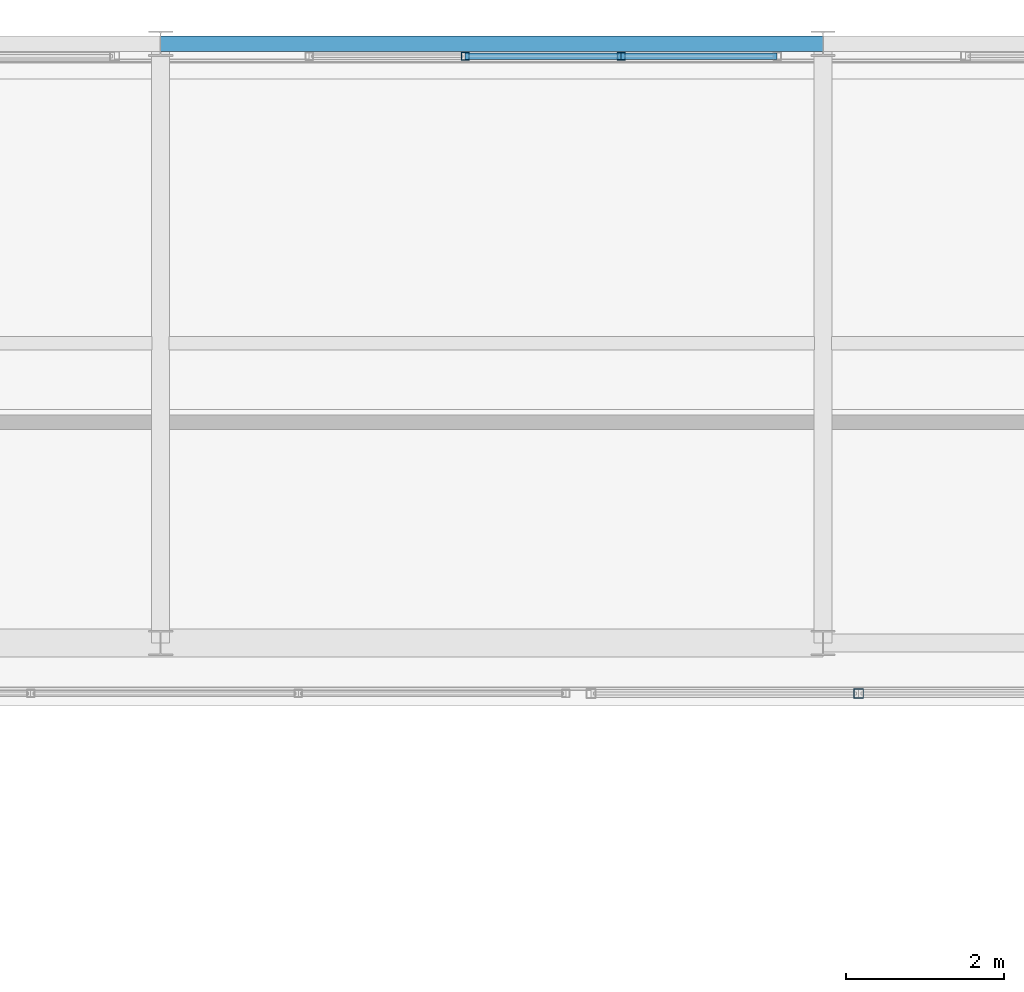
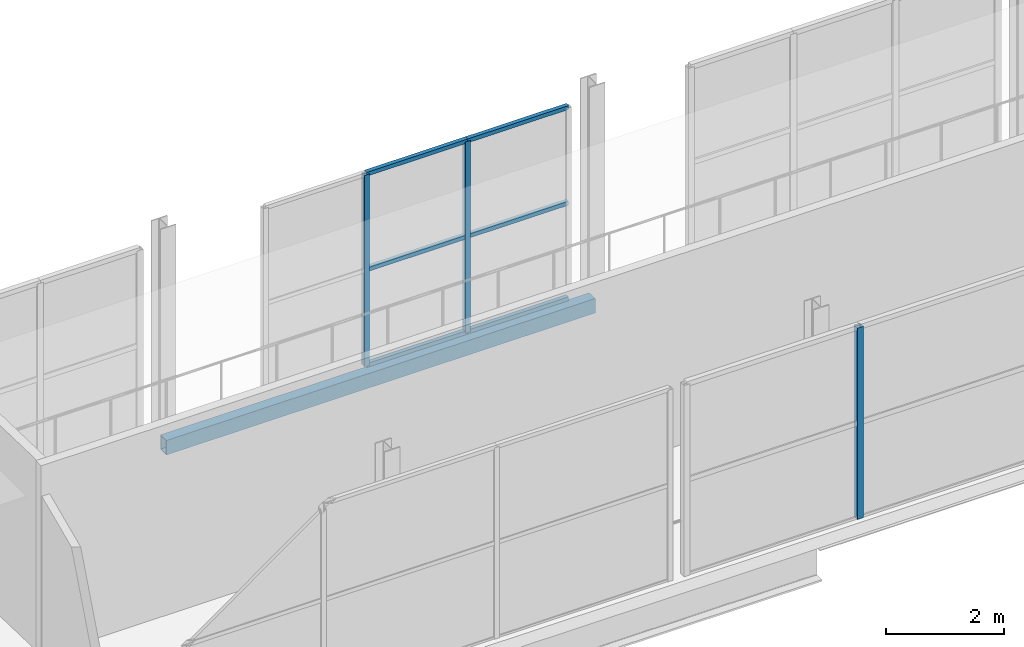
# One storey, part 60 of 151: 9 members, 1 beam, 2 elements without a shape of their own.
"""IFC4 building model written with IfcOpenShell, lengths in metres."""

from ifc_helpers import new_model, si_unit, direction, frame, origin, origin_2d, place, context, subcontext, project, spatial, hollow_rectangle, extrude, material, material_profile, profile_set, type_object, element, aggregate, save


model = new_model("IFC4")

# Units and contexts
model_context = context("Model", 3, precision=1e-05, world=origin(), true_north=direction((0.0, 1.0)))
body_context = subcontext(model_context, "Body", "Model", "MODEL_VIEW")
ifc_project = project(units=[si_unit("LENGTHUNIT", "METRE"), si_unit("AREAUNIT", "SQUARE_METRE"), si_unit("VOLUMEUNIT", "CUBIC_METRE"), si_unit("PLANEANGLEUNIT", "RADIAN"), si_unit("MASSUNIT", "GRAM", prefix="KILO")], contexts=[model_context])

# Site, building, storey
site_placement = place(None, origin())
site = spatial("IfcSite", under=ifc_project, at=site_placement, CompositionType="ELEMENT")
building_placement = place(site_placement, origin())
building = spatial("IfcBuilding", under=site, at=building_placement, Name="Zuvorla Pavilion Media Centre", CompositionType="ELEMENT")
storey_placement = place(building_placement, frame((0.0, 0.0, 13.800048828125)))
storey = spatial("IfcBuildingStorey", under=building, at=storey_placement, Name="L03", CompositionType="ELEMENT", Elevation=13.800048828125)

# Beam
ifc_material_1 = material(Name="Steel S355", Category="steel")
ifc_material_profile_1 = material_profile(ifc_material_1, hollow_rectangle(XDim=0.199951171875, YDim=0.300048828125, WallThickness=0.012451171875, at=origin_2d()), Name="RHS 300x200x12.5")
ifc_profile_set_1 = profile_set([ifc_material_profile_1], Name="Steel S355")
beam_type = type_object("IfcBeamType", Name="BM-SP-RHS300", PredefinedType="SPANDREL", material=ifc_profile_set_1)
beam_placement = place(storey_placement, frame((33.199951171875, 89.60009765625, -0.407958984375), z_axis=(1.0, 0.0, 0.0), x_axis=(0.0, 1.0, 0.0)))
element("IfcBeam", 1, at=beam_placement, inside=storey, type_object=beam_type, Name="L03 spandrel SP01 1133", PredefinedType="SPANDREL", context=body_context, shape_type="SweptSolid", body=[
    extrude(hollow_rectangle(XDim=0.199951171875, YDim=0.300048828125, WallThickness=0.012451171875, at=origin_2d()), origin(), (0.0, 0.0, 1.0), 8.400146484375),
])

# Curtain wall, members
ifc_material_2 = material(Name="Unitised anodised aluminium and solar glass curtain wall", Category="aluminium")
curtain_wall_type_1 = type_object("IfcCurtainWallType", Name="CW-SYS-67", PredefinedType="USERDEFINED", material=ifc_material_2)
curtain_wall_1_placement = place(storey_placement, origin())
curtain_wall_1 = element("IfcCurtainWall", 2, at=curtain_wall_1_placement, inside=storey, type_object=curtain_wall_type_1, Name="L03 curtain wall CW67 119", ObjectType="CURTAIN WALL", PredefinedType="USERDEFINED")
ifc_material_3 = material(Name="Anodised aluminium 6063-T6", Category="aluminium")
ifc_material_profile_2 = material_profile(ifc_material_3, hollow_rectangle(XDim=0.10009765625, YDim=0.10009765625, WallThickness=0.00439453125, at=origin_2d()), Name="ALU MULL 100x100")
ifc_profile_set_2 = profile_set([ifc_material_profile_2], Name="Anodised aluminium 6063-T6")
member_type_1 = type_object("IfcMemberType", Name="CW-MULL-100", PredefinedType="MULLION", material=ifc_profile_set_2)
member_1_placement = place(storey_placement, frame((39.040283203125, 89.43994140625, 0.0), z_axis=(0.0, 0.0, 1.0), x_axis=(1.0, 0.0, 0.0)))
member_1 = element("IfcMember", 3, at=member_1_placement, type_object=member_type_1, Name="CW67 mullion 2", PredefinedType="MULLION", context=body_context, shape_type="SweptSolid", body=[
    extrude(hollow_rectangle(XDim=0.10009765625, YDim=0.10009765625, WallThickness=0.00439453125, at=origin_2d()), origin(), (0.0, 0.0, 1.0), 3.9599609375),
])
member_2_placement = place(storey_placement, frame((37.062744140625, 89.43994140625, 0.0), z_axis=(0.0, 0.0, 1.0), x_axis=(1.0, 0.0, 0.0)))
member_2 = element("IfcMember", 4, at=member_2_placement, type_object=member_type_1, Name="CW67 mullion 3", PredefinedType="MULLION", context=body_context, shape_type="SweptSolid", body=[
    extrude(hollow_rectangle(XDim=0.10009765625, YDim=0.10009765625, WallThickness=0.00439453125, at=origin_2d()), origin(), (0.0, 0.0, 1.0), 3.9599609375),
])

# Curtain wall, member
curtain_wall_type_2 = type_object("IfcCurtainWallType", Name="CW-SYS-33", PredefinedType="USERDEFINED", material=ifc_material_2)
curtain_wall_2_placement = place(storey_placement, origin())
curtain_wall_2 = element("IfcCurtainWall", 5, at=curtain_wall_2_placement, inside=storey, type_object=curtain_wall_type_2, Name="L03 curtain wall CW33 153", ObjectType="CURTAIN WALL", PredefinedType="USERDEFINED")
ifc_material_profile_3 = material_profile(ifc_material_3, hollow_rectangle(XDim=0.1201171875, YDim=0.1201171875, WallThickness=0.0048828125, at=origin_2d()), Name="ALU MULL 120x120")
ifc_profile_set_3 = profile_set([ifc_material_profile_3], Name="Anodised aluminium 6063-T6")
member_type_2 = type_object("IfcMemberType", Name="CW-MULL-120", PredefinedType="MULLION", material=ifc_profile_set_3)
member_3_placement = place(storey_placement, frame((42.05322265625, 81.360107421875, 0.0), z_axis=(0.0, 0.0, 1.0), x_axis=(1.0, 0.0, 0.0)))
member_3 = element("IfcMember", 6, at=member_3_placement, type_object=member_type_2, Name="CW33 mullion 3", PredefinedType="MULLION", context=body_context, shape_type="SweptSolid", body=[
    extrude(hollow_rectangle(XDim=0.1201171875, YDim=0.1201171875, WallThickness=0.0048828125, at=origin_2d()), origin(), (0.0, 0.0, 1.0), 3.9599609375),
])
aggregate(curtain_wall_2, [member_3])

# Member
ifc_material_profile_4 = material_profile(ifc_material_3, hollow_rectangle(XDim=0.080078125, YDim=0.080078125, WallThickness=0.00390625, at=origin_2d()), Name="ALU TRAN 80x80")
ifc_profile_set_4 = profile_set([ifc_material_profile_4], Name="Anodised aluminium 6063-T6")
member_type_3 = type_object("IfcMemberType", Name="CW-TRAN-80", PredefinedType="USERDEFINED", material=ifc_profile_set_4)
member_4_placement = place(storey_placement, frame((41.01806640625, 89.43994140625, 0.0), z_axis=(-1.0, 0.0, 0.0), x_axis=(0.0, -1.0, 0.0)))
member_4 = element("IfcMember", 7, at=member_4_placement, type_object=member_type_3, Name="CW67 transom 1.1", ObjectType="TRANSOM", PredefinedType="USERDEFINED", context=body_context, shape_type="SweptSolid", body=[
    extrude(hollow_rectangle(XDim=0.080078125, YDim=0.080078125, WallThickness=0.00390625, at=origin_2d()), origin(), (0.0, 0.0, 1.0), 1.977783203125),
])

member_5_placement = place(storey_placement, frame((41.01806640625, 89.43994140625, 1.97998046875), z_axis=(-1.0, 0.0, 0.0), x_axis=(0.0, -1.0, 0.0)))
member_5 = element("IfcMember", 8, at=member_5_placement, type_object=member_type_3, Name="CW67 transom 1.2", ObjectType="TRANSOM", PredefinedType="USERDEFINED", context=body_context, shape_type="SweptSolid", body=[
    extrude(hollow_rectangle(XDim=0.080078125, YDim=0.080078125, WallThickness=0.00390625, at=origin_2d()), origin(), (0.0, 0.0, 1.0), 1.977783203125),
])

member_6_placement = place(storey_placement, frame((41.01806640625, 89.43994140625, 3.9599609375), z_axis=(-1.0, 0.0, 0.0), x_axis=(0.0, -1.0, 0.0)))
member_6 = element("IfcMember", 9, at=member_6_placement, type_object=member_type_3, Name="CW67 transom 1.3", ObjectType="TRANSOM", PredefinedType="USERDEFINED", context=body_context, shape_type="SweptSolid", body=[
    extrude(hollow_rectangle(XDim=0.080078125, YDim=0.080078125, WallThickness=0.00390625, at=origin_2d()), origin(), (0.0, 0.0, 1.0), 1.977783203125),
])

member_7_placement = place(storey_placement, frame((39.040283203125, 89.43994140625, 0.0), z_axis=(-1.0, 0.0, 0.0), x_axis=(0.0, -1.0, 0.0)))
member_7 = element("IfcMember", 10, at=member_7_placement, type_object=member_type_3, Name="CW67 transom 2.1", ObjectType="TRANSOM", PredefinedType="USERDEFINED", context=body_context, shape_type="SweptSolid", body=[
    extrude(hollow_rectangle(XDim=0.080078125, YDim=0.080078125, WallThickness=0.00390625, at=origin_2d()), origin(), (0.0, 0.0, 1.0), 1.9775390625),
])

member_8_placement = place(storey_placement, frame((39.040283203125, 89.43994140625, 1.97998046875), z_axis=(-1.0, 0.0, 0.0), x_axis=(0.0, -1.0, 0.0)))
member_8 = element("IfcMember", 11, at=member_8_placement, type_object=member_type_3, Name="CW67 transom 2.2", ObjectType="TRANSOM", PredefinedType="USERDEFINED", context=body_context, shape_type="SweptSolid", body=[
    extrude(hollow_rectangle(XDim=0.080078125, YDim=0.080078125, WallThickness=0.00390625, at=origin_2d()), origin(), (0.0, 0.0, 1.0), 1.9775390625),
])

member_9_placement = place(storey_placement, frame((39.040283203125, 89.43994140625, 3.9599609375), z_axis=(-1.0, 0.0, 0.0), x_axis=(0.0, -1.0, 0.0)))
member_9 = element("IfcMember", 12, at=member_9_placement, type_object=member_type_3, Name="CW67 transom 2.3", ObjectType="TRANSOM", PredefinedType="USERDEFINED", context=body_context, shape_type="SweptSolid", body=[
    extrude(hollow_rectangle(XDim=0.080078125, YDim=0.080078125, WallThickness=0.00390625, at=origin_2d()), origin(), (0.0, 0.0, 1.0), 1.9775390625),
])

aggregate(curtain_wall_1, [member_1, member_2, member_4, member_5, member_6, member_7, member_8, member_9])

save(model, "model.ifc")
